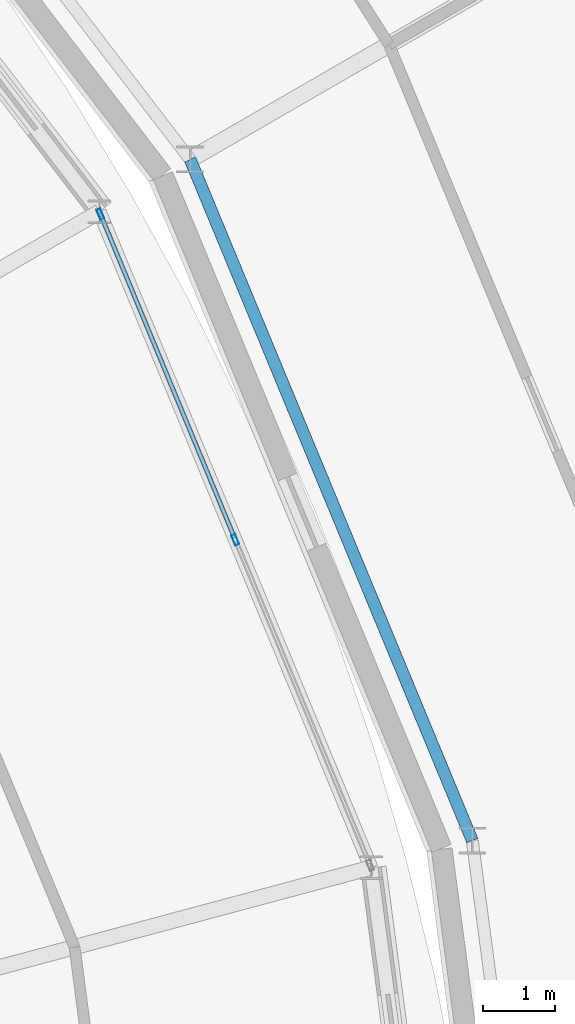
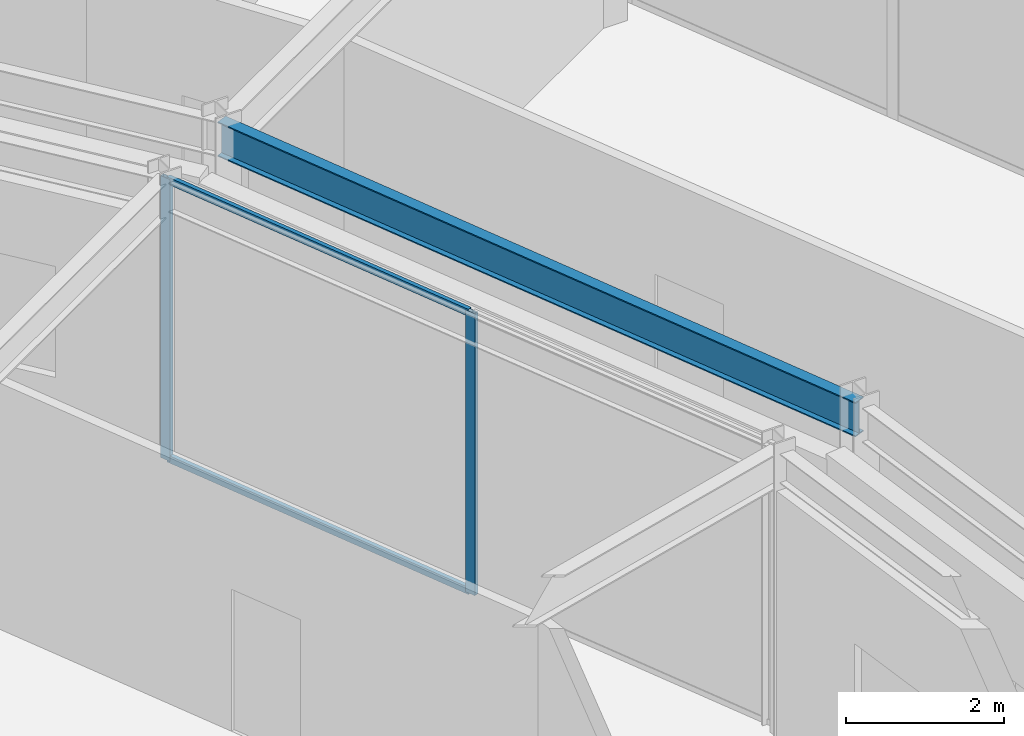
# One storey, part 78 of 157: 4 members, 1 beam, 1 element without a shape of its own.
"""IFC4 building model written with IfcOpenShell, lengths in metres."""

from ifc_helpers import new_model, si_unit, direction, frame, origin, origin_2d, place, context, subcontext, project, spatial, hollow_rectangle, i_section, extrude, material, material_profile, profile_set, type_object, element, aggregate, save


model = new_model("IFC4")

# Units and contexts
model_context = context("Model", 3, precision=1e-05, world=origin(), true_north=direction((0.0, 1.0)))
body_context = subcontext(model_context, "Body", "Model", "MODEL_VIEW")
ifc_project = project(units=[si_unit("LENGTHUNIT", "METRE"), si_unit("AREAUNIT", "SQUARE_METRE"), si_unit("VOLUMEUNIT", "CUBIC_METRE"), si_unit("PLANEANGLEUNIT", "RADIAN"), si_unit("MASSUNIT", "GRAM", prefix="KILO")], contexts=[model_context])

# Site, building, storey
site_placement = place(None, origin())
site = spatial("IfcSite", under=ifc_project, at=site_placement, CompositionType="ELEMENT")
building_placement = place(site_placement, origin())
building = spatial("IfcBuilding", under=site, at=building_placement, Name="Almandine Court Research Institute", CompositionType="ELEMENT")
storey_placement = place(building_placement, frame((0.0, 0.0, 5.25)))
storey = spatial("IfcBuildingStorey", under=building, at=storey_placement, Name="L01", CompositionType="ELEMENT", Elevation=5.25)

# Beam
ifc_material_1 = material(Name="Steel ASTM A992 Grade 50", Category="steel")
ifc_material_profile_1 = material_profile(ifc_material_1, i_section(OverallWidth=0.166015625, OverallDepth=0.534912109375, WebThickness=0.010009765625, FlangeThickness=0.01708984375, at=origin_2d()), Name="W530x85")
ifc_profile_set_1 = profile_set([ifc_material_profile_1], Name="Steel ASTM A992 Grade 50")
beam_type = type_object("IfcBeamType", Name="Beam-G-05-E", PredefinedType="SPANDREL", material=ifc_profile_set_1)
beam_placement = place(storey_placement, frame((124.76806640625, 66.1201171875, 4.10205078125), z_axis=(-0.382683455912, 0.923879522758, 0.0), x_axis=(-0.923879522758, -0.382683455912, 0.0)))
element("IfcBeam", 1, at=beam_placement, inside=storey, type_object=beam_type, Name="L01 Drum IN Ring Beam 01", PredefinedType="SPANDREL", context=body_context, shape_type="SweptSolid", body=[
    extrude(i_section(OverallWidth=0.166015625, OverallDepth=0.534912109375, WebThickness=0.010009765625, FlangeThickness=0.01708984375, at=origin_2d()), origin(), (0.0, 0.0, 1.0), 10.206787109375),
])

# Curtain wall, members
ifc_material_2 = material(Name="Unitised Curtain Wall Framing and Solar Glazing", Category="glass")
curtain_wall_type = type_object("IfcCurtainWallType", Name="CW-CWG-24", PredefinedType="USERDEFINED", material=ifc_material_2)
curtain_wall_placement = place(storey_placement, origin())
curtain_wall = element("IfcCurtainWall", 2, at=curtain_wall_placement, inside=storey, type_object=curtain_wall_type, Name="L01 Interaction Atrium Perimeter Curtain Wall 01", ObjectType="UNITISED GLAZING", PredefinedType="USERDEFINED")
ifc_material_3 = material(Name="Anodised Aluminium AW-6063-T6", Category="aluminium")
ifc_material_profile_2 = material_profile(ifc_material_3, hollow_rectangle(XDim=0.06005859375, YDim=0.14990234375, WallThickness=0.00390625, at=origin_2d()), Name="ALU RHS 60x150x4")
ifc_profile_set_2 = profile_set([ifc_material_profile_2], Name="Anodised Aluminium AW-6063-T6")
member_type_1 = type_object("IfcMemberType", Name="CWMul-60x150", PredefinedType="MULLION", material=ifc_profile_set_2)
member_1_placement = place(storey_placement, frame((119.619384765625, 74.794189453125, 0.0), z_axis=(0.0, 0.0, 1.0), x_axis=(0.923900189297, 0.382633558665, 0.0)))
member_1 = element("IfcMember", 3, at=member_1_placement, type_object=member_type_1, Name="CWG-24 mullion 1", PredefinedType="MULLION", context=body_context, shape_type="SweptSolid", body=[
    extrude(hollow_rectangle(XDim=0.06005859375, YDim=0.14990234375, WallThickness=0.00390625, at=origin_2d()), origin(), (0.0, 0.0, 1.0), 4.3701171875),
])
member_2_placement = place(storey_placement, frame((121.487060546875, 70.284912109375, 0.0), z_axis=(0.0, 0.0, 1.0), x_axis=(0.923900189297, 0.382633558665, 0.0)))
member_2 = element("IfcMember", 4, at=member_2_placement, type_object=member_type_1, Name="CWG-24 mullion 2", PredefinedType="MULLION", context=body_context, shape_type="SweptSolid", body=[
    extrude(hollow_rectangle(XDim=0.06005859375, YDim=0.14990234375, WallThickness=0.00390625, at=origin_2d()), origin(), (0.0, 0.0, 1.0), 4.3701171875),
])
ifc_material_profile_3 = material_profile(ifc_material_3, hollow_rectangle(XDim=0.06005859375, YDim=0.110107421875, WallThickness=0.00390625, at=origin_2d()), Name="ALU RHS 60x110x4")
ifc_profile_set_3 = profile_set([ifc_material_profile_3], Name="Anodised Aluminium AW-6063-T6")
member_type_2 = type_object("IfcMemberType", Name="CWTrn-60x110", PredefinedType="NOTDEFINED", material=ifc_profile_set_3)
member_3_placement = place(storey_placement, frame((119.630859375, 74.7666015625, 0.030029296875), z_axis=(0.382661904477, -0.923888449361, 0.0), x_axis=(0.923888449361, 0.382661904477, 0.0)))
member_3 = element("IfcMember", 5, at=member_3_placement, type_object=member_type_2, Name="CWG-24 transom 1.1", ObjectType="TRANSOM", PredefinedType="USERDEFINED", context=body_context, shape_type="SweptSolid", body=[
    extrude(hollow_rectangle(XDim=0.06005859375, YDim=0.110107421875, WallThickness=0.00390625, at=origin_2d()), origin(), (0.0, 0.0, 1.0), 4.82080078125),
])
member_4_placement = place(storey_placement, frame((119.630859375, 74.7666015625, 4.340087890625), z_axis=(0.382661904477, -0.923888449361, 0.0), x_axis=(0.923888449361, 0.382661904477, 0.0)))
member_4 = element("IfcMember", 6, at=member_4_placement, type_object=member_type_2, Name="CWG-24 transom 1.2", ObjectType="TRANSOM", PredefinedType="USERDEFINED", context=body_context, shape_type="SweptSolid", body=[
    extrude(hollow_rectangle(XDim=0.06005859375, YDim=0.110107421875, WallThickness=0.00390625, at=origin_2d()), origin(), (0.0, 0.0, 1.0), 4.82080078125),
])
aggregate(curtain_wall, [member_1, member_2, member_3, member_4])

save(model, "model.ifc")
